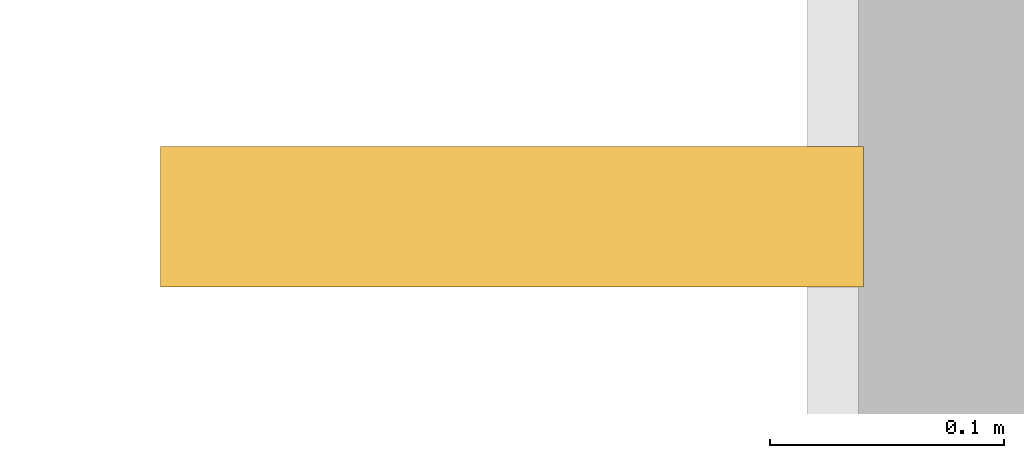
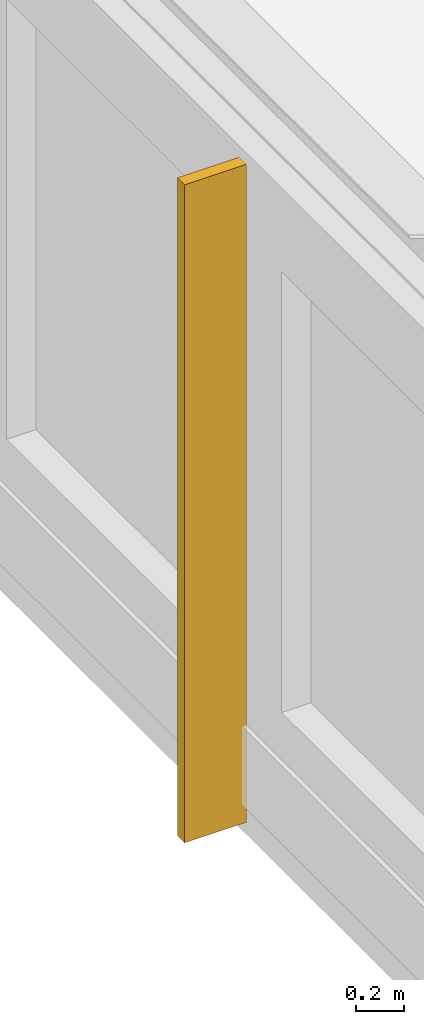
# One storey, part 181 of 189: 1 shading device.
"""IFC4 building model written with IfcOpenShell, lengths in metres."""

from ifc_helpers import new_model, si_unit, direction, frame, origin, origin_2d, place, context, subcontext, project, spatial, rectangle, extrude, material, type_object, element, save


model = new_model("IFC4")

# Units and contexts
model_context = context("Model", 3, precision=1e-05, world=origin(), true_north=direction((0.0, 1.0)))
body_context = subcontext(model_context, "Body", "Model", "MODEL_VIEW")
ifc_project = project(units=[si_unit("LENGTHUNIT", "METRE"), si_unit("AREAUNIT", "SQUARE_METRE"), si_unit("VOLUMEUNIT", "CUBIC_METRE"), si_unit("PLANEANGLEUNIT", "RADIAN"), si_unit("MASSUNIT", "GRAM", prefix="KILO")], contexts=[model_context])

# Site, building, storey
site_placement = place(None, origin())
site = spatial("IfcSite", under=ifc_project, at=site_placement, CompositionType="ELEMENT")
building_placement = place(site_placement, origin())
building = spatial("IfcBuilding", under=site, at=building_placement, Name="Montecoro Central Library", CompositionType="ELEMENT")
storey_placement = place(building_placement, frame((0.0, 0.0, 9.179931640625)))
storey = spatial("IfcBuildingStorey", under=building, at=storey_placement, Name="L02", CompositionType="ELEMENT", Elevation=9.179931640625)

# Shading device
ifc_material = material(Name="Architectural bronze solar fin", Category="aluminium")
shading_device_type = type_object("IfcShadingDeviceType", Name="SHD-FIN-07", PredefinedType="USERDEFINED", material=ifc_material)
shading_device_placement = place(storey_placement, frame((66.07958984375, 92.39990234375, 0.06005859375), z_axis=(0.0, 0.0, 1.0), x_axis=(0.0, -1.0, 0.0)))
element("IfcShadingDevice", 1, at=shading_device_placement, inside=storey, type_object=shading_device_type, Name="V2-L02-FIN-W1", ObjectType="SOLAR FIN", PredefinedType="USERDEFINED", context=body_context, shape_type="SweptSolid", body=[
    extrude(rectangle(XDim=0.06005859375, YDim=0.300048828125, at=origin_2d()), origin(), (0.0, 0.0, 1.0), 3.360107421875),
])

save(model, "model.ifc")
